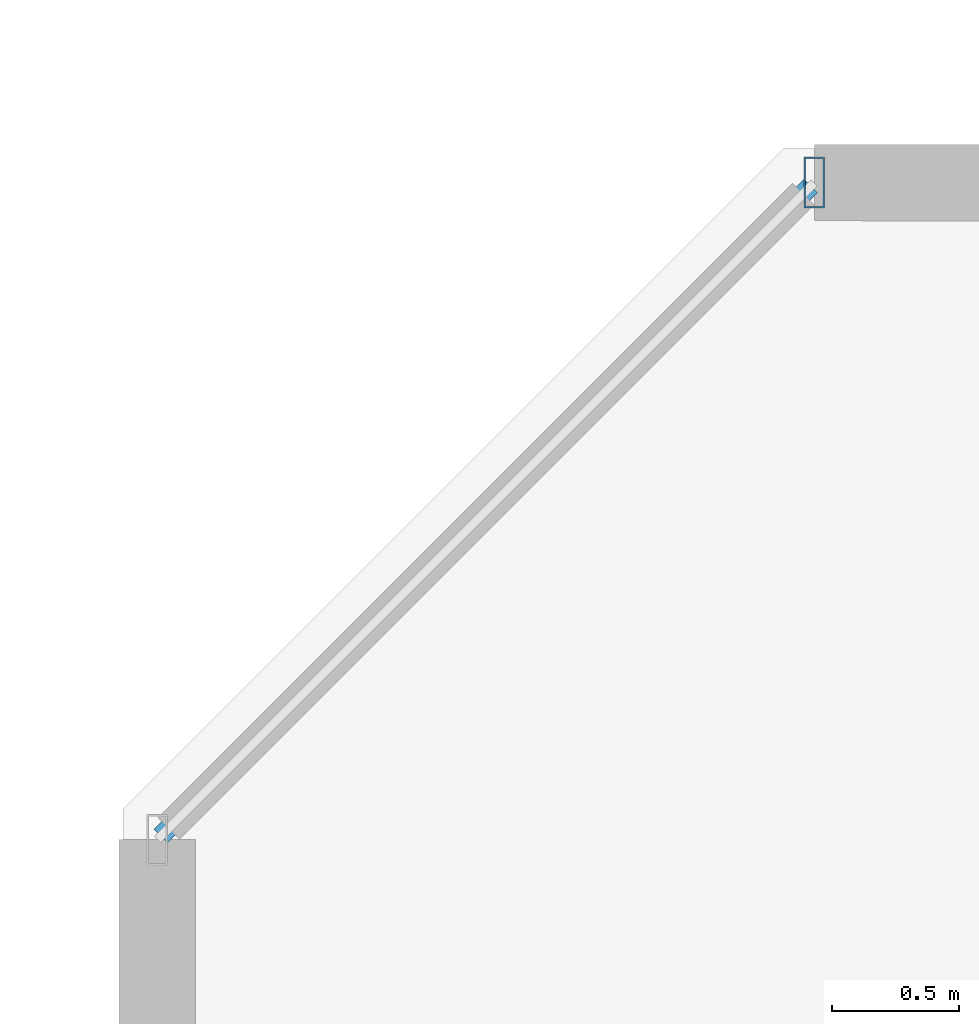
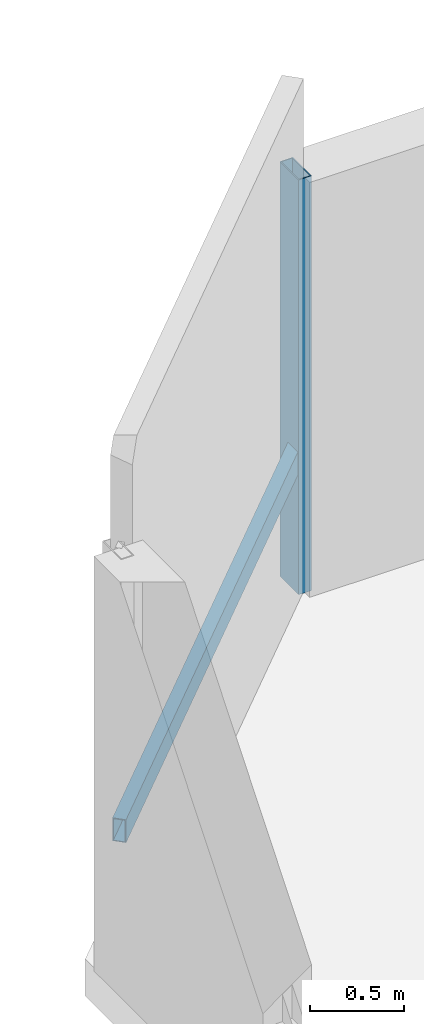
# One storey, part 11 of 33: 2 members, 1 element without a shape of its own.
"""IFC4 building model written with IfcOpenShell, lengths in metres."""

from ifc_helpers import new_model, si_unit, direction, frame, origin, origin_2d, place, context, subcontext, project, spatial, hollow_rectangle, extrude, material, material_profile, profile_set, type_object, element, aggregate, save


model = new_model("IFC4")

# Units and contexts
model_context = context("Model", 3, precision=1e-05, world=origin(), true_north=direction((0.0, 1.0)))
body_context = subcontext(model_context, "Body", "Model", "MODEL_VIEW")
ifc_project = project(units=[si_unit("LENGTHUNIT", "METRE"), si_unit("AREAUNIT", "SQUARE_METRE"), si_unit("VOLUMEUNIT", "CUBIC_METRE"), si_unit("PLANEANGLEUNIT", "RADIAN"), si_unit("MASSUNIT", "GRAM", prefix="KILO")], contexts=[model_context])

# Site, building, storey
site_placement = place(None, origin())
site = spatial("IfcSite", under=ifc_project, at=site_placement, CompositionType="ELEMENT")
building_placement = place(site_placement, origin())
building = spatial("IfcBuilding", under=site, at=building_placement, Name="Thornwick Lancets Civic Towers", CompositionType="ELEMENT")
storey_placement = place(building_placement, frame((0.0, 0.0, 189.300048828125)))
storey = spatial("IfcBuildingStorey", under=building, at=storey_placement, Name="L50", CompositionType="ELEMENT", Elevation=189.300048828125)

# Curtain wall, members
ifc_material_1 = material(Name="Mid-zone chamfered-corner unitised glass curtain wall", Category="glass")
curtain_wall_type = type_object("IfcCurtainWallType", Name="CW_SYS_04", PredefinedType="NOTDEFINED", material=ifc_material_1)
curtain_wall_placement = place(storey_placement, origin())
curtain_wall = element("IfcCurtainWall", 1, at=curtain_wall_placement, inside=storey, type_object=curtain_wall_type, Name="L50 Curtain Wall CW-L50-B-E5", PredefinedType="NOTDEFINED")
ifc_material_2 = material(Name="Thermally broken bronze aluminium S355", Category="steel")
ifc_material_profile_1 = material_profile(ifc_material_2, hollow_rectangle(XDim=0.080078125, YDim=0.199951171875, WallThickness=0.006103515625, at=origin_2d()), Name="RHS 200x80x6")
ifc_profile_set_1 = profile_set([ifc_material_profile_1], Name="Thermally broken bronze aluminium S355")
member_type_1 = type_object("IfcMemberType", Name="CW_MUL_200", PredefinedType="MULLION", material=ifc_profile_set_1)
member_1_placement = place(storey_placement, frame((67.318603515625, 50.7646484375, 0.0), z_axis=(0.0, 0.0, 1.0), x_axis=(1.0, 0.0, 0.0)))
member_1 = element("IfcMember", 2, at=member_1_placement, type_object=member_type_1, Name="CW-L50-B-E5 Mullion 0", PredefinedType="MULLION", context=body_context, shape_type="SweptSolid", body=[
    extrude(hollow_rectangle(XDim=0.080078125, YDim=0.199951171875, WallThickness=0.006103515625, at=origin_2d()), origin(), (0.0, 0.0, 1.0), 2.699951171875),
])
ifc_material_profile_2 = material_profile(ifc_material_2, hollow_rectangle(XDim=0.074951171875, YDim=0.14990234375, WallThickness=0.0048828125, at=origin_2d()), Name="RHS 150x75x5")
ifc_profile_set_2 = profile_set([ifc_material_profile_2], Name="Thermally broken bronze aluminium S355")
member_type_2 = type_object("IfcMemberType", Name="CW_TRN_150", PredefinedType="USERDEFINED", material=ifc_profile_set_2)
member_2_placement = place(storey_placement, frame((67.304443359375, 50.75048828125, 0.849853515625), z_axis=(-0.707106781187, -0.707106781187, 0.0), x_axis=(0.707106781187, -0.707106781187, 0.0)))
member_2 = element("IfcMember", 3, at=member_2_placement, type_object=member_type_2, Name="CW-L50-B-E5 Transom 0", ObjectType="TRANSOM", PredefinedType="USERDEFINED", context=body_context, shape_type="SweptSolid", body=[
    extrude(hollow_rectangle(XDim=0.074951171875, YDim=0.14990234375, WallThickness=0.0048828125, at=origin_2d()), origin(), (0.0, 0.0, 1.0), 3.61328125),
])
aggregate(curtain_wall, [member_1, member_2])

save(model, "model.ifc")
